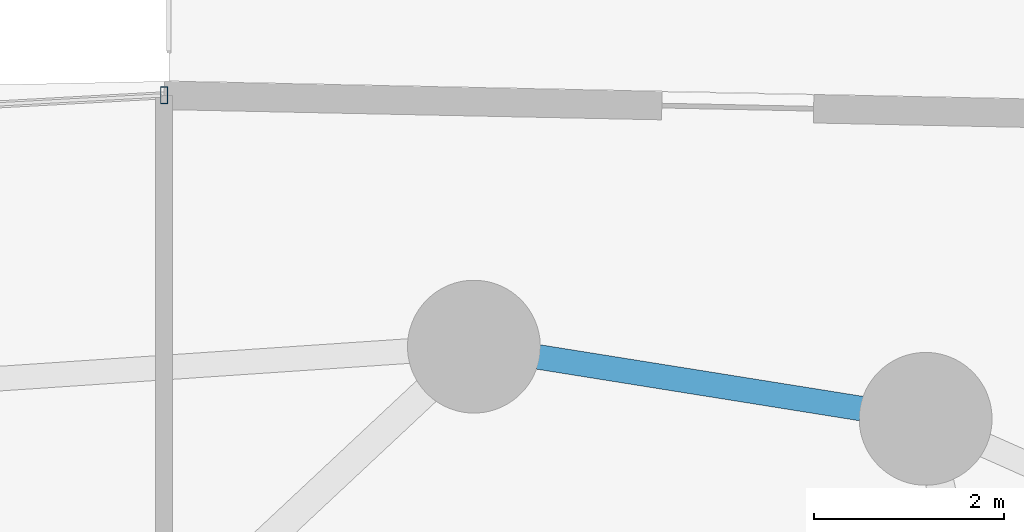
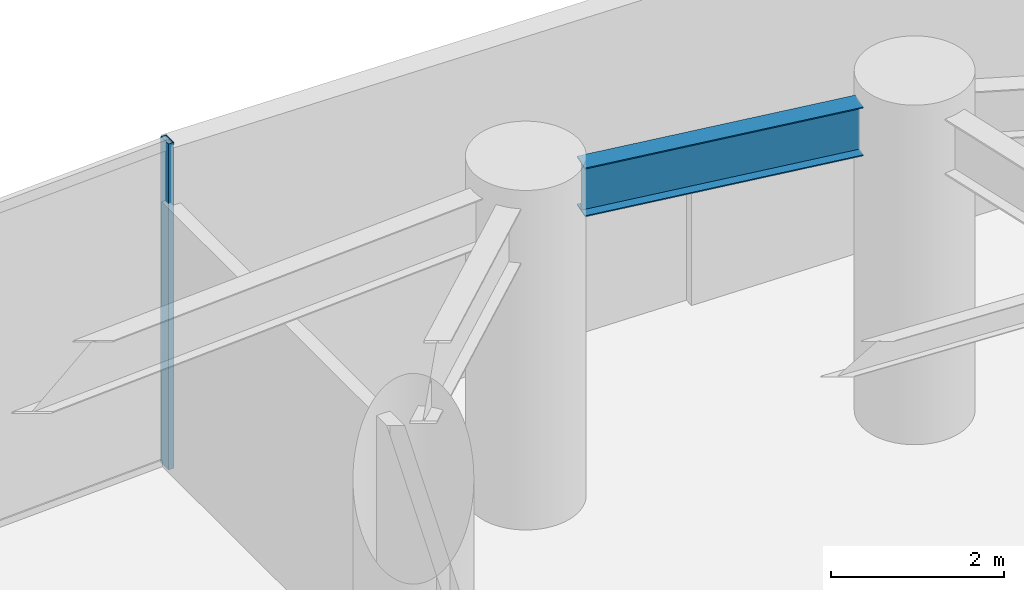
# One storey, part 19 of 32: 1 beam, 1 member, 1 element without a shape of its own.
"""IFC4 building model written with IfcOpenShell, lengths in metres."""

from ifc_helpers import new_model, si_unit, direction, frame, origin, origin_2d, place, context, subcontext, project, spatial, hollow_rectangle, i_section, extrude, material, material_profile, profile_set, type_object, element, aggregate, save


model = new_model("IFC4")

# Units and contexts
model_context = context("Model", 3, precision=1e-05, world=origin(), true_north=direction((0.0, 1.0)))
body_context = subcontext(model_context, "Body", "Model", "MODEL_VIEW")
ifc_project = project(units=[si_unit("LENGTHUNIT", "METRE"), si_unit("AREAUNIT", "SQUARE_METRE"), si_unit("VOLUMEUNIT", "CUBIC_METRE"), si_unit("PLANEANGLEUNIT", "RADIAN"), si_unit("MASSUNIT", "GRAM", prefix="KILO")], contexts=[model_context])

# Site, building, storey
site_placement = place(None, origin())
site = spatial("IfcSite", under=ifc_project, at=site_placement, CompositionType="ELEMENT")
building_placement = place(site_placement, origin())
building = spatial("IfcBuilding", under=site, at=building_placement, Name="Vorneva Point Tower", CompositionType="ELEMENT")
storey_placement = place(building_placement, frame((0.0, 0.0, 19.199951171875)))
storey = spatial("IfcBuildingStorey", under=building, at=storey_placement, Name="L04", CompositionType="ELEMENT", Elevation=19.199951171875)

# Beam
ifc_material_1 = material(Name="Steel S355", Category="steel")
ifc_material_profile_1 = material_profile(ifc_material_1, i_section(OverallWidth=0.260009765625, OverallDepth=0.69091796875, WebThickness=0.011962890625, FlangeThickness=0.015380859375, at=origin_2d()), Name="70B1")
ifc_profile_set_1 = profile_set([ifc_material_profile_1], Name="Steel S355")
beam_type = type_object("IfcBeamType", Name="BM-SPN-70B1", PredefinedType="SPANDREL", material=ifc_profile_set_1)
beam_placement = place(storey_placement, frame((45.349853515625, 45.599609375, 4.194580078125), z_axis=(-0.987471068592, 0.157800154289, 0.0), x_axis=(-0.157800154289, -0.987471068592, 0.0)))
element("IfcBeam", 1, at=beam_placement, inside=storey, type_object=beam_type, Name="L04 Perimeter Spandrel Ring Beam 04", PredefinedType="SPANDREL", context=body_context, shape_type="SweptSolid", body=[
    extrude(i_section(OverallWidth=0.260009765625, OverallDepth=0.69091796875, WebThickness=0.011962890625, FlangeThickness=0.015380859375, at=origin_2d()), origin(), (0.0, 0.0, 1.0), 3.45166015625),
])

# Curtain wall, member
ifc_material_2 = material(Name="Pale anodised aluminium", Category="aluminium")
curtain_wall_type = type_object("IfcCurtainWallType", Name="CW-POD-SYS", PredefinedType="NOTDEFINED", material=ifc_material_2)
curtain_wall_placement = place(storey_placement, origin())
curtain_wall = element("IfcCurtainWall", 2, at=curtain_wall_placement, inside=storey, type_object=curtain_wall_type, Name="L04 Unitised Curtain Wall CW-L04-R02", PredefinedType="NOTDEFINED")
ifc_material_profile_2 = material_profile(ifc_material_2, hollow_rectangle(XDim=0.074951171875, YDim=0.179931640625, WallThickness=0.00390625, at=origin_2d()), Name="AL-MUL 180x75x4")
ifc_profile_set_2 = profile_set([ifc_material_profile_2], Name="Pale anodised aluminium")
member_type = type_object("IfcMemberType", Name="CW-MUL-180", PredefinedType="MULLION", material=ifc_profile_set_2)
member_placement = place(storey_placement, frame((38.0, 48.9013671875, -0.0400390625), z_axis=(0.0, 0.0, 1.0), x_axis=(1.0, 0.0, 0.0)))
member = element("IfcMember", 3, at=member_placement, type_object=member_type, Name="CW-L04-R02 Mullion 01", PredefinedType="MULLION", context=body_context, shape_type="SweptSolid", body=[
    extrude(hollow_rectangle(XDim=0.074951171875, YDim=0.179931640625, WallThickness=0.00390625, at=origin_2d()), origin(), (0.0, 0.0, 1.0), 4.610107421875),
])
aggregate(curtain_wall, [member])

save(model, "model.ifc")
